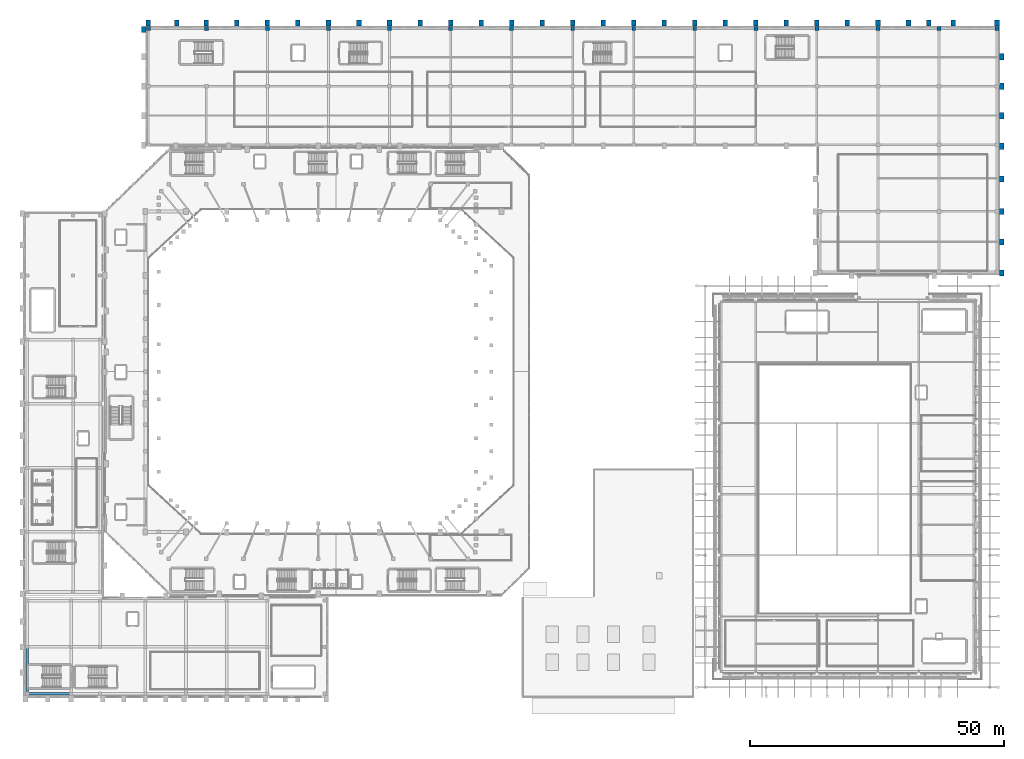
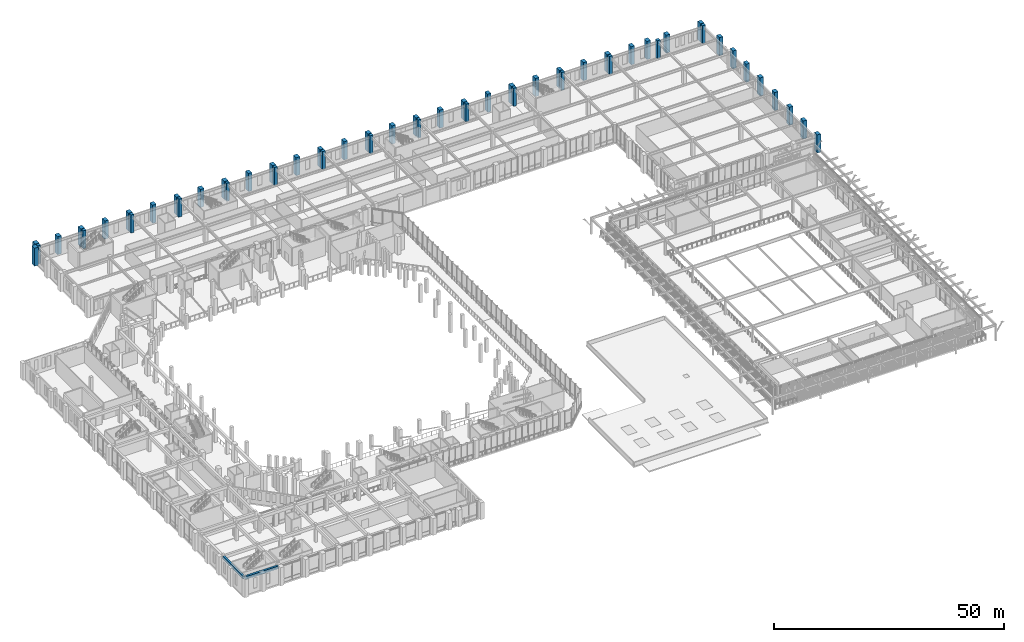
# One storey, part 13 of 126: 53 columns, 2 beams.
"""IFC4 building model written with IfcOpenShell, lengths in metres."""

from ifc_helpers import new_model, si_unit, derived_unit, direction, frame, origin, origin_2d, place, context, subcontext, project, spatial, rectangle, extrude, material, material_profile, profile_set, type_object, element, save


model = new_model("IFC4")

# Units and contexts
model_context = context("Model", 3, precision=1e-05, world=origin(), true_north=direction((0.0, 1.0)))
body_context = subcontext(model_context, "Body", "Model", "MODEL_VIEW")
ifc_project = project(units=[si_unit("LENGTHUNIT", "METRE"), si_unit("AREAUNIT", "SQUARE_METRE"), si_unit("VOLUMEUNIT", "CUBIC_METRE"), si_unit("PLANEANGLEUNIT", "RADIAN"), si_unit("MASSUNIT", "GRAM", prefix="KILO"), derived_unit("THERMALTRANSMITTANCEUNIT", [(si_unit("MASSUNIT", "GRAM", prefix="KILO"), 1), (si_unit("TIMEUNIT", "SECOND"), -3), (si_unit("THERMODYNAMICTEMPERATUREUNIT", "KELVIN"), -1)])], contexts=[model_context])

# Site, building, storey
site_placement = place(None, origin())
site = spatial("IfcSite", under=ifc_project, at=site_placement, CompositionType="ELEMENT")
building_placement = place(site_placement, origin())
building = spatial("IfcBuilding", under=site, at=building_placement, Name="Valcora Ridge Arena", CompositionType="ELEMENT")
storey_placement = place(building_placement, frame((0.0, 0.0, 11.39990234375)))
storey = spatial("IfcBuildingStorey", under=building, at=storey_placement, Name="L02", CompositionType="ELEMENT", Elevation=11.39990234375)

# Columns
ifc_material_1 = material(Name="Bush-hammered Andean travertine architectural concrete C45/55", Category="masonry")
ifc_material_profile_1 = material_profile(ifc_material_1, rectangle(XDim=0.89990234375, YDim=1.199951171875, at=origin_2d()), Name="RC 900x1200")
ifc_profile_set_1 = profile_set([ifc_material_profile_1], Name="Bush-hammered Andean travertine architectural concrete C45/55")
column_type_1 = type_object("IfcColumnType", Name="TY-COLUMN-C-BUTT-1200", PredefinedType="PILASTER", material=ifc_profile_set_1)
for number, where, z_axis, x_axis, name in (
    (1, (24.60009765625, 132.6201171875, 0.0), (0.0, 0.0, 1.0), (1.0, 0.0, 0.0), "C-BUTT-1200 COL-C-BUTT-1200-0134"),
    (2, (30.199951171875, 132.6201171875, 0.0), (0.0, 0.0, 1.0), (1.0, 0.0, 0.0), "C-BUTT-1200 COL-C-BUTT-1200-0138"),
    (3, (42.0, 132.6201171875, 0.0), (0.0, 0.0, 1.0), (1.0, 0.0, 0.0), "C-BUTT-1200 COL-C-BUTT-1200-0142"),
    (4, (54.0, 132.6201171875, 0.0), (0.0, 0.0, 1.0), (1.0, 0.0, 0.0), "C-BUTT-1200 COL-C-BUTT-1200-0146"),
    (5, (66.0, 132.6201171875, 0.0), (0.0, 0.0, 1.0), (1.0, 0.0, 0.0), "C-BUTT-1200 COL-C-BUTT-1200-0150"),
    (6, (78.0, 132.6201171875, 0.0), (0.0, 0.0, 1.0), (1.0, 0.0, 0.0), "C-BUTT-1200 COL-C-BUTT-1200-0154"),
    (7, (90.0, 132.6201171875, 0.0), (0.0, 0.0, 1.0), (1.0, 0.0, 0.0), "C-BUTT-1200 COL-C-BUTT-1200-0158"),
    (8, (102.0, 132.6201171875, 0.0), (0.0, 0.0, 1.0), (1.0, 0.0, 0.0), "C-BUTT-1200 COL-C-BUTT-1200-0162"),
    (9, (114.0, 132.6201171875, 0.0), (0.0, 0.0, 1.0), (1.0, 0.0, 0.0), "C-BUTT-1200 COL-C-BUTT-1200-0166"),
    (10, (126.0, 132.6201171875, 0.0), (0.0, 0.0, 1.0), (1.0, 0.0, 0.0), "C-BUTT-1200 COL-C-BUTT-1200-0170"),
    (11, (138.0, 132.6201171875, 0.0), (0.0, 0.0, 1.0), (1.0, 0.0, 0.0), "C-BUTT-1200 COL-C-BUTT-1200-0174"),
    (12, (150.0, 132.6201171875, 0.0), (0.0, 0.0, 1.0), (1.0, 0.0, 0.0), "C-BUTT-1200 COL-C-BUTT-1200-0178"),
    (13, (162.0, 132.6201171875, 0.0), (0.0, 0.0, 1.0), (1.0, 0.0, 0.0), "C-BUTT-1200 COL-C-BUTT-1200-0182"),
    (14, (174.0, 132.6201171875, 0.0), (0.0, 0.0, 1.0), (1.0, 0.0, 0.0), "C-BUTT-1200 COL-C-BUTT-1200-0186"),
    (15, (182.800048828125, 132.6201171875, 0.0), (0.0, 0.0, 1.0), (1.0, 0.0, 0.0), "C-BUTT-1200 COL-C-BUTT-1200-0190"),
    (16, (191.39990234375, 132.6201171875, 0.0), (0.0, 0.0, 1.0), (1.0, 0.0, 0.0), "C-BUTT-1200 COL-C-BUTT-1200-0194"),
    (17, (192.320068359375, 83.5, 0.0), (0.0, 0.0, 1.0), (1.0, 0.0, 0.0), "C-BUTT-1200 COL-C-BUTT-1200-0198"),
    (18, (192.320068359375, 89.60009765625, 0.0), (0.0, 0.0, 1.0), (1.0, 0.0, 0.0), "C-BUTT-1200 COL-C-BUTT-1200-0202"),
    (19, (192.320068359375, 95.60009765625, 0.0), (0.0, 0.0, 1.0), (1.0, 0.0, 0.0), "C-BUTT-1200 COL-C-BUTT-1200-0206"),
    (20, (192.320068359375, 102.0, 0.0), (0.0, 0.0, 1.0), (1.0, 0.0, 0.0), "C-BUTT-1200 COL-C-BUTT-1200-0210"),
    (21, (192.320068359375, 108.39990234375, 0.0), (0.0, 0.0, 1.0), (1.0, 0.0, 0.0), "C-BUTT-1200 COL-C-BUTT-1200-0214"),
    (22, (192.320068359375, 114.39990234375, 0.0), (0.0, 0.0, 1.0), (1.0, 0.0, 0.0), "C-BUTT-1200 COL-C-BUTT-1200-0218"),
    (23, (192.320068359375, 120.199951171875, 0.0), (0.0, 0.0, 1.0), (1.0, 0.0, 0.0), "C-BUTT-1200 COL-C-BUTT-1200-0222"),
    (24, (192.320068359375, 126.0, 0.0), (0.0, 0.0, 1.0), (1.0, 0.0, 0.0), "C-BUTT-1200 COL-C-BUTT-1200-0226"),
    (25, (23.679931640625, 131.35009765625, 0.0), (0.0, 0.0, 1.0), (1.0, 0.0, 0.0), "C-BUTT-1200 COL-C-BUTT-1200-0246"),
    (26, (36.0, 132.6201171875, 0.0), (0.0, 0.0, 1.0), (1.0, 0.0, 0.0), "C-BUTT-1200 COL-C-BUTT-1200-0278"),
    (27, (48.0, 132.6201171875, 0.0), (0.0, 0.0, 1.0), (1.0, 0.0, 0.0), "C-BUTT-1200 COL-C-BUTT-1200-0282"),
    (28, (60.0, 132.6201171875, 0.0), (0.0, 0.0, 1.0), (1.0, 0.0, 0.0), "C-BUTT-1200 COL-C-BUTT-1200-0286"),
    (29, (72.0, 132.6201171875, 0.0), (0.0, 0.0, 1.0), (1.0, 0.0, 0.0), "C-BUTT-1200 COL-C-BUTT-1200-0290"),
    (30, (84.0, 132.6201171875, 0.0), (0.0, 0.0, 1.0), (1.0, 0.0, 0.0), "C-BUTT-1200 COL-C-BUTT-1200-0294"),
    (31, (96.0, 132.6201171875, 0.0), (0.0, 0.0, 1.0), (1.0, 0.0, 0.0), "C-BUTT-1200 COL-C-BUTT-1200-0298"),
    (32, (108.0, 132.6201171875, 0.0), (0.0, 0.0, 1.0), (1.0, 0.0, 0.0), "C-BUTT-1200 COL-C-BUTT-1200-0302"),
    (33, (120.0, 132.6201171875, 0.0), (0.0, 0.0, 1.0), (1.0, 0.0, 0.0), "C-BUTT-1200 COL-C-BUTT-1200-0306"),
    (34, (132.0, 132.6201171875, 0.0), (0.0, 0.0, 1.0), (1.0, 0.0, 0.0), "C-BUTT-1200 COL-C-BUTT-1200-0310"),
    (35, (144.0, 132.6201171875, 0.0), (0.0, 0.0, 1.0), (1.0, 0.0, 0.0), "C-BUTT-1200 COL-C-BUTT-1200-0314"),
    (36, (156.0, 132.6201171875, 0.0), (0.0, 0.0, 1.0), (1.0, 0.0, 0.0), "C-BUTT-1200 COL-C-BUTT-1200-0318"),
    (37, (168.0, 132.6201171875, 0.0), (0.0, 0.0, 1.0), (1.0, 0.0, 0.0), "C-BUTT-1200 COL-C-BUTT-1200-0322"),
    (38, (178.0, 132.6201171875, 0.0), (0.0, 0.0, 1.0), (1.0, 0.0, 0.0), "C-BUTT-1200 COL-C-BUTT-1200-0326"),
):
    element("IfcColumn", number, at=place(storey_placement, frame(where, z_axis=z_axis, x_axis=x_axis)), inside=storey, type_object=column_type_1, Name=name, PredefinedType="PILASTER", context=body_context, shape_type="SweptSolid", body=[
        extrude(rectangle(XDim=0.89990234375, YDim=1.199951171875, at=origin_2d()), origin(), (0.0, 0.0, 1.0), 4.800048828125),
    ])
ifc_material_2 = material(Name="Concrete C40/50", Category="concrete")
ifc_material_profile_2 = material_profile(ifc_material_2, rectangle(XDim=0.75, YDim=0.75, at=origin_2d()), Name="RC 750x750")
ifc_profile_set_2 = profile_set([ifc_material_profile_2], Name="Concrete C40/50")
column_type_2 = type_object("IfcColumnType", Name="TY-COLUMN-C-RC750", PredefinedType="COLUMN", material=ifc_profile_set_2)
for number, where, z_axis, x_axis, name in (
    (39, (24.60009765625, 131.550048828125, 0.0), (0.0, 0.0, 1.0), (1.0, 0.0, 0.0), "C-RC750 COL-C-RC750-0005"),
    (40, (36.0, 131.550048828125, 0.0), (0.0, 0.0, 1.0), (1.0, 0.0, 0.0), "C-RC750 COL-C-RC750-0011"),
    (41, (48.0, 131.550048828125, 0.0), (0.0, 0.0, 1.0), (1.0, 0.0, 0.0), "C-RC750 COL-C-RC750-0017"),
    (42, (60.0, 131.550048828125, 0.0), (0.0, 0.0, 1.0), (1.0, 0.0, 0.0), "C-RC750 COL-C-RC750-0023"),
    (43, (72.0, 131.550048828125, 0.0), (0.0, 0.0, 1.0), (1.0, 0.0, 0.0), "C-RC750 COL-C-RC750-0029"),
    (44, (84.0, 131.550048828125, 0.0), (0.0, 0.0, 1.0), (1.0, 0.0, 0.0), "C-RC750 COL-C-RC750-0035"),
    (45, (96.0, 131.550048828125, 0.0), (0.0, 0.0, 1.0), (1.0, 0.0, 0.0), "C-RC750 COL-C-RC750-0041"),
    (46, (108.0, 131.550048828125, 0.0), (0.0, 0.0, 1.0), (1.0, 0.0, 0.0), "C-RC750 COL-C-RC750-0047"),
    (47, (120.0, 131.550048828125, 0.0), (0.0, 0.0, 1.0), (1.0, 0.0, 0.0), "C-RC750 COL-C-RC750-0053"),
    (48, (132.0, 131.550048828125, 0.0), (0.0, 0.0, 1.0), (1.0, 0.0, 0.0), "C-RC750 COL-C-RC750-0059"),
    (49, (144.0, 131.550048828125, 0.0), (0.0, 0.0, 1.0), (1.0, 0.0, 0.0), "C-RC750 COL-C-RC750-0065"),
    (50, (156.0, 131.550048828125, 0.0), (0.0, 0.0, 1.0), (1.0, 0.0, 0.0), "C-RC750 COL-C-RC750-0071"),
    (51, (168.0, 131.550048828125, 0.0), (0.0, 0.0, 1.0), (1.0, 0.0, 0.0), "C-RC750 COL-C-RC750-0077"),
    (52, (180.0, 131.550048828125, 0.0), (0.0, 0.0, 1.0), (1.0, 0.0, 0.0), "C-RC750 COL-C-RC750-0083"),
    (53, (191.39990234375, 131.550048828125, 0.0), (0.0, 0.0, 1.0), (1.0, 0.0, 0.0), "C-RC750 COL-C-RC750-0089"),
):
    element("IfcColumn", number, at=place(storey_placement, frame(where, z_axis=z_axis, x_axis=x_axis)), inside=storey, type_object=column_type_2, Name=name, PredefinedType="COLUMN", context=body_context, shape_type="SweptSolid", body=[
        extrude(rectangle(XDim=0.75, YDim=0.75, at=origin_2d()), origin(), (0.0, 0.0, 1.0), 4.800048828125),
    ])

# Beams
ifc_material_profile_3 = material_profile(ifc_material_2, rectangle(XDim=0.5, YDim=0.75, at=origin_2d()), Name="RC 500x750")
ifc_profile_set_3 = profile_set([ifc_material_profile_3], Name="Concrete C40/50")
beam_type_1 = type_object("IfcBeamType", Name="TY-BEAM-B-RC500-Y", PredefinedType="BEAM", material=ifc_profile_set_3)
beam_1_placement = place(storey_placement, frame((0.800048828125, 1.0, 4.0751953125), z_axis=(0.0, 1.0, 0.0), x_axis=(-1.0, 0.0, 0.0)))
element("IfcBeam", 54, at=beam_1_placement, inside=storey, type_object=beam_type_1, Name="B-RC500-Y BEM-B-RC500-Y-0067", PredefinedType="BEAM", context=body_context, shape_type="SweptSolid", body=[
    extrude(rectangle(XDim=0.5, YDim=0.75, at=origin_2d()), origin(), (0.0, 0.0, 1.0), 8.800048828125),
])
ifc_material_profile_4 = material_profile(ifc_material_2, rectangle(XDim=0.5, YDim=0.75, at=origin_2d()), Name="RC 500x750")
ifc_profile_set_4 = profile_set([ifc_material_profile_4], Name="Concrete C40/50")
beam_type_2 = type_object("IfcBeamType", Name="TY-BEAM-EB-RC500", PredefinedType="BEAM", material=ifc_profile_set_4)
beam_2_placement = place(storey_placement, frame((1.0, 0.800048828125, 4.0751953125), z_axis=(1.0, 0.0, 0.0), x_axis=(0.0, 1.0, 0.0)))
element("IfcBeam", 55, at=beam_2_placement, inside=storey, type_object=beam_type_2, Name="EB-RC500 BEM-EB-RC500-0019", PredefinedType="BEAM", context=body_context, shape_type="SweptSolid", body=[
    extrude(rectangle(XDim=0.5, YDim=0.75, at=origin_2d()), origin(), (0.0, 0.0, 1.0), 8.199951171875),
])

save(model, "model.ifc")
